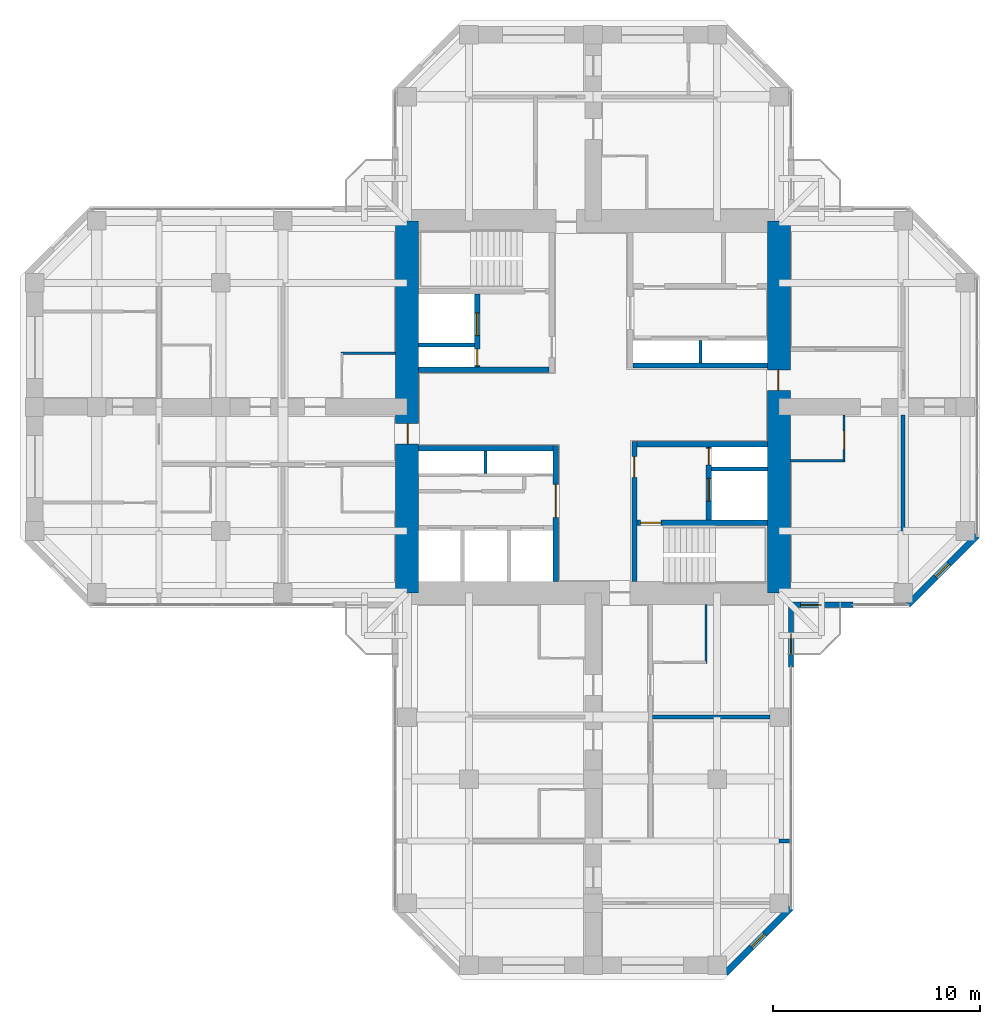
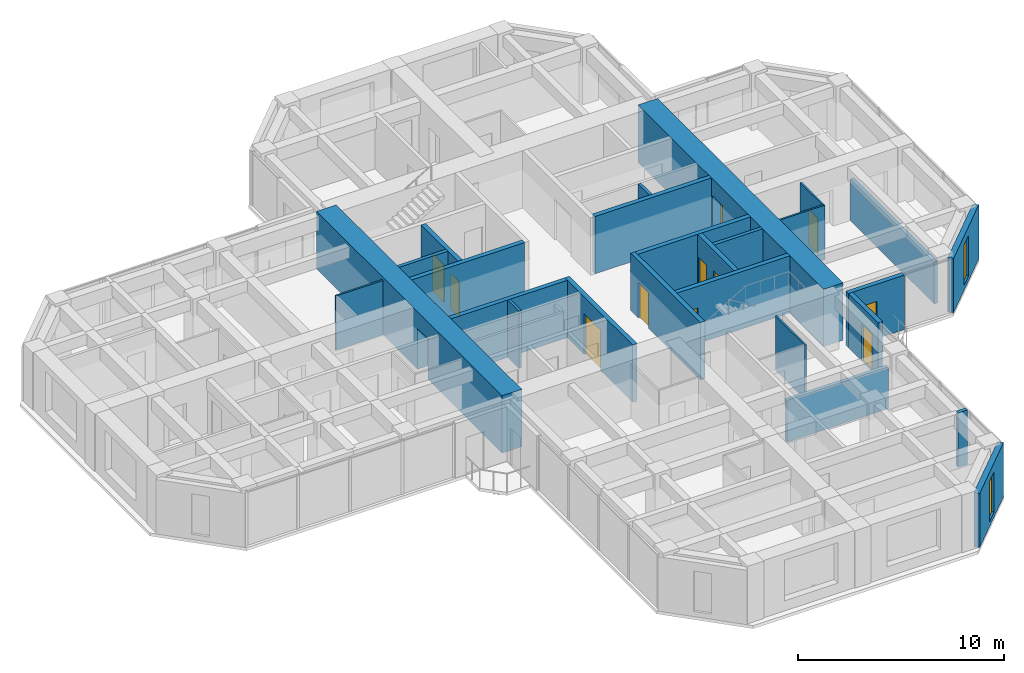
# One storey, part 10 of 13: 26 walls, 12 doors, 2 windows, 14 openings.
"""IFC4 building model written with IfcOpenShell, lengths in metres."""

from ifc_helpers import new_model, si_unit, direction, frame, frame_2d, origin, place, context, subcontext, project, spatial, rectangle, hollow_rectangle, extrude, material, layer, layer_set, constituent, constituent_set, type_object, element, fill, save


model = new_model("IFC4")

# Units and contexts
model_context = context("Model", 3, precision=1e-05, world=origin(), true_north=direction((0.0, 1.0)))
body_context = subcontext(model_context, "Body", "Model", "MODEL_VIEW")
ifc_project = project(units=[si_unit("LENGTHUNIT", "METRE"), si_unit("AREAUNIT", "SQUARE_METRE"), si_unit("VOLUMEUNIT", "CUBIC_METRE"), si_unit("PLANEANGLEUNIT", "RADIAN"), si_unit("MASSUNIT", "GRAM", prefix="KILO")], contexts=[model_context])

# Site, building, storey
site_placement = place(None, origin())
site = spatial("IfcSite", under=ifc_project, at=site_placement, CompositionType="ELEMENT")
building_placement = place(site_placement, origin())
building = spatial("IfcBuilding", under=site, at=building_placement, Name="Torre Cruceta", CompositionType="ELEMENT")
storey_placement = place(building_placement, frame((0.0, 0.0, 189.89990234375)))
storey = spatial("IfcBuildingStorey", under=building, at=storey_placement, Name="L47", CompositionType="ELEMENT", Elevation=189.89990234375)

# Wall
ifc_material_1 = material(Name="Water-resistant plasterboard on steel studs", Category="steel")
ifc_layer_1 = layer(ifc_material_1, 0.10009765625)
ifc_layer_set_1 = layer_set([ifc_layer_1], Name="Water-resistant plasterboard on steel studs")
wall_type_1 = type_object("IfcWallType", Name="BATHROOM WALL 100", PredefinedType="PARTITIONING", material=ifc_layer_set_1)
wall_1_placement = place(storey_placement, frame((9.550048828125, -2.60009765625, 0.0), z_axis=(0.0, 0.0, 1.0), x_axis=(1.0, 0.0, 0.0)))
element("IfcWall", 1, at=wall_1_placement, inside=storey, type_object=wall_type_1, Name="PT4 L47-E-U1RBB", PredefinedType="PARTITIONING", context=body_context, shape_type="SweptSolid", body=[
    extrude(rectangle(XDim=2.64990234375, YDim=0.10009765625, at=frame_2d((1.324951171875, 0.0))), origin(), (0.0, 0.0, 1.0), 3.22021484375),
])

# Wall, opening, door
wall_2_placement = place(storey_placement, frame((12.14990234375, -2.60009765625, 0.0), z_axis=(0.0, 0.0, 1.0), x_axis=(0.0, 1.0, 0.0)))
wall_2 = element("IfcWall", 2, at=wall_2_placement, inside=storey, type_object=wall_type_1, Name="PT4 L47-E-U1RBS", PredefinedType="PARTITIONING", context=body_context, shape_type="SweptSolid", body=[
    extrude(rectangle(XDim=2.2001953125, YDim=0.10009765625, at=frame_2d((1.10009765625, 0.0))), origin(), (0.0, 0.0, 1.0), 3.22021484375),
])
opening_1_placement = place(wall_2_placement, frame((0.550048828125, 0.0, 0.0)))
opening_1 = element("IfcOpeningElement", 3, at=opening_1_placement, cuts=wall_2, Name="Opening D7", PredefinedType="OPENING", context=body_context, shape_type="SweptSolid", body=[
    extrude(rectangle(XDim=0.89990234375, YDim=2.10009765625, at=frame_2d((0.449951171875, 1.050048828125))), frame((0.0, 0.06005859375, 0.0), z_axis=(0.0, -1.0, 0.0), x_axis=(1.0, 0.0, 0.0)), (0.0, 0.0, 1.0), 0.1201171875),
])
ifc_material_2 = material(Name="Timber door", Category="wood")
door_type_1 = type_object("IfcDoorType", Name="BATHROOM DOOR 900X2100", OperationType="SINGLE_SWING_LEFT", PredefinedType="DOOR", material=ifc_material_2)
door_1_placement = place(opening_1_placement, origin())
door_1 = element("IfcDoor", 4, at=door_1_placement, inside=storey, type_object=door_type_1, Name="D7 L47-E-U1RBS-D1", OperationType="SINGLE_SWING_LEFT", OverallHeight=2.10009765625, OverallWidth=0.89990234375, PredefinedType="DOOR", context=body_context, shape_type="SweptSolid", body=[
    extrude(rectangle(XDim=0.89990234375, YDim=2.10009765625, at=frame_2d((0.449951171875, 1.050048828125))), frame((0.0, 0.02490234375, 0.0), z_axis=(0.0, -1.0, 0.0), x_axis=(1.0, 0.0, 0.0)), (0.0, 0.0, 1.0), 0.050048828125),
])
fill(opening_1, door_1)

# Walls
wall_3_placement = place(storey_placement, frame((5.47509765625, -9.550048828125, 0.0), z_axis=(0.0, 0.0, 1.0), x_axis=(0.0, -1.0, 0.0)))
element("IfcWall", 5, at=wall_3_placement, inside=storey, type_object=wall_type_1, Name="PT4 L47-S-U1LBB", PredefinedType="PARTITIONING", context=body_context, shape_type="SweptSolid", body=[
    extrude(rectangle(XDim=2.849853515625, YDim=0.10009765625, at=frame_2d((1.4248046875, 0.0))), origin(), (0.0, 0.0, 1.0), 3.22021484375),
])
wall_4_placement = place(storey_placement, frame((-9.550048828125, 2.60009765625, 0.0), z_axis=(0.0, 0.0, 1.0), x_axis=(-1.0, 0.0, 0.0)))
element("IfcWall", 6, at=wall_4_placement, inside=storey, type_object=wall_type_1, Name="PT4 L47-W-U1RBB", PredefinedType="PARTITIONING", context=body_context, shape_type="SweptSolid", body=[
    extrude(rectangle(XDim=2.64990234375, YDim=0.10009765625, at=frame_2d((1.324951171875, 0.0))), origin(), (0.0, 0.0, 1.0), 3.22021484375),
])
ifc_material_3 = material(Name="Concrete G60 (fck 60 MPa)", Category="concrete")
ifc_layer_2 = layer(ifc_material_3, 0.25)
ifc_layer_set_2 = layer_set([ifc_layer_2], Name="Concrete G60 (fck 60 MPa)")
wall_type_2 = type_object("IfcWallType", Name="CORE INNER WALL 250 G60", PredefinedType="SHEAR", material=ifc_layer_set_2)
wall_5_placement = place(storey_placement, frame((1.925048828125, 2.0, 0.0), z_axis=(0.0, 0.0, 1.0), x_axis=(1.0, 0.0, 0.0)))
element("IfcWall", 7, at=wall_5_placement, inside=storey, type_object=wall_type_2, Name="CW4 L47 NE-CV", PredefinedType="SHEAR", context=body_context, shape_type="SweptSolid", body=[
    extrude(rectangle(XDim=6.52490234375, YDim=0.25, at=frame_2d((3.262451171875, 0.0))), origin(), (0.0, 0.0, 1.0), 3.400146484375),
])
wall_6_placement = place(storey_placement, frame((-2.125, 1.800048828125, 0.0), z_axis=(0.0, 0.0, 1.0), x_axis=(-1.0, 0.0, 0.0)))
element("IfcWall", 8, at=wall_6_placement, inside=storey, type_object=wall_type_2, Name="CW4 L47 NW-CV", PredefinedType="SHEAR", context=body_context, shape_type="SweptSolid", body=[
    extrude(rectangle(XDim=6.324951171875, YDim=0.25, at=frame_2d((3.16259765625, 0.0))), origin(), (0.0, 0.0, 1.0), 3.400146484375),
])

# Wall, openings, doors
wall_7_placement = place(storey_placement, frame((-5.60009765625, 1.925048828125, 0.0), z_axis=(0.0, 0.0, 1.0), x_axis=(0.0, 1.0, 0.0)))
wall_7 = element("IfcWall", 9, at=wall_7_placement, inside=storey, type_object=wall_type_2, Name="CW4 L47 NW-FU", PredefinedType="SHEAR", context=body_context, shape_type="SweptSolid", body=[
    extrude(rectangle(XDim=3.550048828125, YDim=0.25, at=frame_2d((1.77490234375, 0.0))), origin(), (0.0, 0.0, 1.0), 3.400146484375),
])
opening_2_placement = place(wall_7_placement, frame((1.52490234375, 0.0, 0.0)))
opening_2 = element("IfcOpeningElement", 10, at=opening_2_placement, cuts=wall_7, Name="Opening LD1", PredefinedType="OPENING", context=body_context, shape_type="SweptSolid", body=[
    extrude(rectangle(XDim=1.10009765625, YDim=2.199951171875, at=frame_2d((0.550048828125, 1.10009765625))), frame((0.0, 0.135009765625, 0.0), z_axis=(0.0, -1.0, 0.0), x_axis=(1.0, 0.0, 0.0)), (0.0, 0.0, 1.0), 0.27001953125),
])
opening_3_placement = place(wall_7_placement, frame((0.074951171875, 0.0, 0.0)))
opening_3 = element("IfcOpeningElement", 11, at=opening_3_placement, cuts=wall_7, Name="Opening D5", PredefinedType="OPENING", context=body_context, shape_type="SweptSolid", body=[
    extrude(rectangle(XDim=0.800048828125, YDim=2.10009765625, at=frame_2d((0.39990234375, 1.050048828125))), frame((0.0, 0.135009765625, 0.0), z_axis=(0.0, -1.0, 0.0), x_axis=(1.0, 0.0, 0.0)), (0.0, 0.0, 1.0), 0.27001953125),
])
ifc_material_4 = material(Name="Stainless steel 1.4401", Category="steel")
door_type_2 = type_object("IfcDoorType", Name="LIFT LANDING DOOR 1100X2200", OperationType="DOUBLE_DOOR_SLIDING", PredefinedType="DOOR", material=ifc_material_4)
door_2_placement = place(opening_2_placement, origin())
door_2 = element("IfcDoor", 12, at=door_2_placement, inside=storey, type_object=door_type_2, Name="Lift landing door FL1", OperationType="DOUBLE_DOOR_SLIDING", OverallHeight=2.199951171875, OverallWidth=1.10009765625, PredefinedType="DOOR", context=body_context, shape_type="SweptSolid", body=[
    extrude(rectangle(XDim=1.10009765625, YDim=2.199951171875, at=frame_2d((0.550048828125, 1.10009765625))), frame((0.0, 0.02490234375, 0.0), z_axis=(0.0, -1.0, 0.0), x_axis=(1.0, 0.0, 0.0)), (0.0, 0.0, 1.0), 0.050048828125),
])
fill(opening_2, door_2)
ifc_material_5 = material(Name="Steel DX51D", Category="steel")
ifc_constituent_1 = constituent(ifc_material_5, Name="Leaf and frame")
ifc_material_6 = material(Name="Polyester powder coating", Category="paint")
ifc_constituent_2 = constituent(ifc_material_6, Name="Finish")
ifc_constituent_set_1 = constituent_set(constituents=[ifc_constituent_1, ifc_constituent_2], Name="Steel fire door")
door_type_3 = type_object("IfcDoorType", Name="RISER ACCESS DOOR 800X2100", OperationType="SINGLE_SWING_LEFT", PredefinedType="DOOR", material=ifc_constituent_set_1)
door_3_placement = place(opening_3_placement, origin())
door_3 = element("IfcDoor", 13, at=door_3_placement, inside=storey, type_object=door_type_3, Name="D5 L47 NW-RISER", OperationType="SINGLE_SWING_LEFT", OverallHeight=2.10009765625, OverallWidth=0.800048828125, PredefinedType="DOOR", context=body_context, shape_type="SweptSolid", body=[
    extrude(rectangle(XDim=0.800048828125, YDim=2.10009765625, at=frame_2d((0.39990234375, 1.050048828125))), frame((0.0, 0.02490234375, 0.0), z_axis=(0.0, -1.0, 0.0), x_axis=(1.0, 0.0, 0.0)), (0.0, 0.0, 1.0), 0.050048828125),
])
fill(opening_3, door_3)

# Wall, opening, door
wall_8_placement = place(storey_placement, frame((-1.800048828125, -1.875, 0.0), z_axis=(0.0, 0.0, 1.0), x_axis=(0.0, -1.0, 0.0)))
wall_8 = element("IfcWall", 14, at=wall_8_placement, inside=storey, type_object=wall_type_2, Name="CW4 L47 SW-CU", PredefinedType="SHEAR", context=body_context, shape_type="SweptSolid", body=[
    extrude(rectangle(XDim=6.574951171875, YDim=0.25, at=frame_2d((3.28759765625, 0.0))), origin(), (0.0, 0.0, 1.0), 3.400146484375),
])
opening_4_placement = place(wall_8_placement, frame((1.875, 0.0, 0.0)))
opening_4 = element("IfcOpeningElement", 15, at=opening_4_placement, cuts=wall_8, Name="Opening D8", PredefinedType="OPENING", context=body_context, shape_type="SweptSolid", body=[
    extrude(rectangle(XDim=1.60009765625, YDim=2.39990234375, at=frame_2d((0.800048828125, 1.199951171875))), frame((0.0, 0.135009765625, 0.0), z_axis=(0.0, -1.0, 0.0), x_axis=(1.0, 0.0, 0.0)), (0.0, 0.0, 1.0), 0.27001953125),
])
ifc_material_7 = material(Name="Steel DX51D", Category="steel")
ifc_constituent_3 = constituent(ifc_material_7, Name="Leaf and frame")
ifc_material_8 = material(Name="Polyester powder coating", Category="paint")
ifc_constituent_4 = constituent(ifc_material_8, Name="Finish")
ifc_material_9 = material(Name="Fire-resisting glass", Category="glass")
ifc_constituent_5 = constituent(ifc_material_9, Name="Vision panel")
ifc_constituent_set_2 = constituent_set(constituents=[ifc_constituent_3, ifc_constituent_4, ifc_constituent_5], Name="Steel fire door with vision panels")
door_type_4 = type_object("IfcDoorType", Name="LIFT LOBBY DOUBLE DOOR 1600X2400", OperationType="DOUBLE_DOOR_DOUBLE_SWING", PredefinedType="DOOR", material=ifc_constituent_set_2)
door_4_placement = place(opening_4_placement, origin())
door_4 = element("IfcDoor", 16, at=door_4_placement, inside=storey, type_object=door_type_4, Name="D8 L47 SW-LOBBY", OperationType="DOUBLE_DOOR_DOUBLE_SWING", OverallHeight=2.39990234375, OverallWidth=1.60009765625, PredefinedType="DOOR", context=body_context, shape_type="SweptSolid", body=[
    extrude(rectangle(XDim=1.60009765625, YDim=2.39990234375, at=frame_2d((0.800048828125, 1.199951171875))), frame((0.0, 0.02490234375, 0.0), z_axis=(0.0, -1.0, 0.0), x_axis=(1.0, 0.0, 0.0)), (0.0, 0.0, 1.0), 0.050048828125),
])
fill(opening_4, door_4)

# Wall
wall_9_placement = place(storey_placement, frame((-1.925048828125, -2.0, 0.0), z_axis=(0.0, 0.0, 1.0), x_axis=(-1.0, 0.0, 0.0)))
element("IfcWall", 17, at=wall_9_placement, inside=storey, type_object=wall_type_2, Name="CW4 L47 SW-CV", PredefinedType="SHEAR", context=body_context, shape_type="SweptSolid", body=[
    extrude(rectangle(XDim=6.52490234375, YDim=0.25, at=frame_2d((3.262451171875, 0.0))), origin(), (0.0, 0.0, 1.0), 3.400146484375),
])

# Wall, opening, door
wall_10_placement = place(storey_placement, frame((2.0, -1.675048828125, 0.0), z_axis=(0.0, 0.0, 1.0), x_axis=(0.0, -1.0, 0.0)))
wall_10 = element("IfcWall", 18, at=wall_10_placement, inside=storey, type_object=wall_type_2, Name="CW4 L47 SE-CU", PredefinedType="SHEAR", context=body_context, shape_type="SweptSolid", body=[
    extrude(rectangle(XDim=6.77490234375, YDim=0.25, at=frame_2d((3.387451171875, 0.0))), origin(), (0.0, 0.0, 1.0), 3.400146484375),
])
opening_5_placement = place(wall_10_placement, frame((0.72509765625, 0.0, 0.0)))
opening_5 = element("IfcOpeningElement", 19, at=opening_5_placement, cuts=wall_10, Name="Opening D3", PredefinedType="OPENING", context=body_context, shape_type="SweptSolid", body=[
    extrude(rectangle(XDim=1.0, YDim=2.10009765625, at=frame_2d((0.5, 1.050048828125))), frame((0.0, 0.135009765625, 0.0), z_axis=(0.0, -1.0, 0.0), x_axis=(1.0, 0.0, 0.0)), (0.0, 0.0, 1.0), 0.27001953125),
])
ifc_material_10 = material(Name="Steel DX51D", Category="steel")
ifc_constituent_6 = constituent(ifc_material_10, Name="Leaf and frame")
ifc_material_11 = material(Name="Polyester powder coating", Category="paint")
ifc_constituent_7 = constituent(ifc_material_11, Name="Finish")
ifc_constituent_set_3 = constituent_set(constituents=[ifc_constituent_6, ifc_constituent_7], Name="Steel fire door")
door_type_5 = type_object("IfcDoorType", Name="FIRE DOOR 1000X2100", OperationType="SINGLE_SWING_LEFT", PredefinedType="DOOR", material=ifc_constituent_set_3)
door_5_placement = place(opening_5_placement, origin())
door_5 = element("IfcDoor", 20, at=door_5_placement, inside=storey, type_object=door_type_5, Name="D3 L47 SE-LOBBY", OperationType="SINGLE_SWING_LEFT", OverallHeight=2.10009765625, OverallWidth=1.0, PredefinedType="DOOR", context=body_context, shape_type="SweptSolid", body=[
    extrude(rectangle(XDim=1.0, YDim=2.10009765625, at=frame_2d((0.5, 1.050048828125))), frame((0.0, 0.02490234375, 0.0), z_axis=(0.0, -1.0, 0.0), x_axis=(1.0, 0.0, 0.0)), (0.0, 0.0, 1.0), 0.050048828125),
])
fill(opening_5, door_5)

# Wall
wall_11_placement = place(storey_placement, frame((2.125, -1.800048828125, 0.0), z_axis=(0.0, 0.0, 1.0), x_axis=(1.0, 0.0, 0.0)))
element("IfcWall", 21, at=wall_11_placement, inside=storey, type_object=wall_type_2, Name="CW4 L47 SE-CV", PredefinedType="SHEAR", context=body_context, shape_type="SweptSolid", body=[
    extrude(rectangle(XDim=6.324951171875, YDim=0.25, at=frame_2d((3.16259765625, 0.0))), origin(), (0.0, 0.0, 1.0), 3.400146484375),
])

# Wall, opening, door
wall_12_placement = place(storey_placement, frame((2.125, -5.60009765625, 0.0), z_axis=(0.0, 0.0, 1.0), x_axis=(1.0, 0.0, 0.0)))
wall_12 = element("IfcWall", 22, at=wall_12_placement, inside=storey, type_object=wall_type_2, Name="CW4 L47 SE-SV", PredefinedType="SHEAR", context=body_context, shape_type="SweptSolid", body=[
    extrude(rectangle(XDim=6.324951171875, YDim=0.25, at=frame_2d((3.16259765625, 0.0))), origin(), (0.0, 0.0, 1.0), 3.400146484375),
])
opening_6_placement = place(wall_12_placement, frame((0.175048828125, 0.0, 0.0)))
opening_6 = element("IfcOpeningElement", 23, at=opening_6_placement, cuts=wall_12, Name="Opening D3", PredefinedType="OPENING", context=body_context, shape_type="SweptSolid", body=[
    extrude(rectangle(XDim=1.0, YDim=2.10009765625, at=frame_2d((0.5, 1.050048828125))), frame((0.0, 0.135009765625, 0.0), z_axis=(0.0, -1.0, 0.0), x_axis=(1.0, 0.0, 0.0)), (0.0, 0.0, 1.0), 0.27001953125),
])
door_6_placement = place(opening_6_placement, frame((1.0, 0.0, 0.0), z_axis=(0.0, 0.0, 1.0), x_axis=(-1.0, 0.0, 0.0)))
door_6 = element("IfcDoor", 24, at=door_6_placement, inside=storey, type_object=door_type_5, Name="D3 L47 SE-STAIR", OperationType="SINGLE_SWING_RIGHT", OverallHeight=2.10009765625, OverallWidth=1.0, PredefinedType="DOOR", context=body_context, shape_type="SweptSolid", body=[
    extrude(rectangle(XDim=1.0, YDim=2.10009765625, at=frame_2d((0.5, 1.050048828125))), frame((0.0, 0.025146484375, 0.0), z_axis=(0.0, -1.0, 0.0), x_axis=(1.0, 0.0, 0.0)), (0.0, 0.0, 1.0), 0.050048828125),
])
fill(opening_6, door_6)

# Wall, openings, doors
wall_13_placement = place(storey_placement, frame((5.60009765625, -1.925048828125, 0.0), z_axis=(0.0, 0.0, 1.0), x_axis=(0.0, -1.0, 0.0)))
wall_13 = element("IfcWall", 25, at=wall_13_placement, inside=storey, type_object=wall_type_2, Name="CW4 L47 SE-FU", PredefinedType="SHEAR", context=body_context, shape_type="SweptSolid", body=[
    extrude(rectangle(XDim=3.550048828125, YDim=0.25, at=frame_2d((1.77490234375, 0.0))), origin(), (0.0, 0.0, 1.0), 3.400146484375),
])
opening_7_placement = place(wall_13_placement, frame((1.52490234375, 0.0, 0.0)))
opening_7 = element("IfcOpeningElement", 26, at=opening_7_placement, cuts=wall_13, Name="Opening LD1", PredefinedType="OPENING", context=body_context, shape_type="SweptSolid", body=[
    extrude(rectangle(XDim=1.10009765625, YDim=2.199951171875, at=frame_2d((0.550048828125, 1.10009765625))), frame((0.0, 0.135009765625, 0.0), z_axis=(0.0, -1.0, 0.0), x_axis=(1.0, 0.0, 0.0)), (0.0, 0.0, 1.0), 0.27001953125),
])
opening_8_placement = place(wall_13_placement, frame((0.074951171875, 0.0, 0.0)))
opening_8 = element("IfcOpeningElement", 27, at=opening_8_placement, cuts=wall_13, Name="Opening D5", PredefinedType="OPENING", context=body_context, shape_type="SweptSolid", body=[
    extrude(rectangle(XDim=0.800048828125, YDim=2.10009765625, at=frame_2d((0.39990234375, 1.050048828125))), frame((0.0, 0.135009765625, 0.0), z_axis=(0.0, -1.0, 0.0), x_axis=(1.0, 0.0, 0.0)), (0.0, 0.0, 1.0), 0.27001953125),
])
door_7_placement = place(opening_7_placement, origin())
door_7 = element("IfcDoor", 28, at=door_7_placement, inside=storey, type_object=door_type_2, Name="Lift landing door FL2", OperationType="DOUBLE_DOOR_SLIDING", OverallHeight=2.199951171875, OverallWidth=1.10009765625, PredefinedType="DOOR", context=body_context, shape_type="SweptSolid", body=[
    extrude(rectangle(XDim=1.10009765625, YDim=2.199951171875, at=frame_2d((0.550048828125, 1.10009765625))), frame((0.0, 0.02490234375, 0.0), z_axis=(0.0, -1.0, 0.0), x_axis=(1.0, 0.0, 0.0)), (0.0, 0.0, 1.0), 0.050048828125),
])
fill(opening_7, door_7)
door_8_placement = place(opening_8_placement, origin())
door_8 = element("IfcDoor", 29, at=door_8_placement, inside=storey, type_object=door_type_3, Name="D5 L47 SE-RISER", OperationType="SINGLE_SWING_LEFT", OverallHeight=2.10009765625, OverallWidth=0.800048828125, PredefinedType="DOOR", context=body_context, shape_type="SweptSolid", body=[
    extrude(rectangle(XDim=0.800048828125, YDim=2.10009765625, at=frame_2d((0.39990234375, 1.050048828125))), frame((0.0, 0.02490234375, 0.0), z_axis=(0.0, -1.0, 0.0), x_axis=(1.0, 0.0, 0.0)), (0.0, 0.0, 1.0), 0.050048828125),
])
fill(opening_8, door_8)

# Wall, opening, door
ifc_material_12 = material(Name="Concrete G60 (fck 60 MPa)", Category="concrete")
ifc_layer_3 = layer(ifc_material_12, 1.10009765625)
ifc_layer_set_3 = layer_set([ifc_layer_3], Name="Concrete G60 (fck 60 MPa)")
wall_type_3 = type_object("IfcWallType", Name="CORE WALL 1100 G60", PredefinedType="SHEAR", material=ifc_layer_set_3)
wall_14_placement = place(storey_placement, frame((9.0, -9.0, 0.0), z_axis=(0.0, 0.0, 1.0), x_axis=(0.0, 1.0, 0.0)))
wall_14 = element("IfcWall", 30, at=wall_14_placement, inside=storey, type_object=wall_type_3, Name="CW2 L47 CW-E", PredefinedType="SHEAR", context=body_context, shape_type="SweptSolid", body=[
    extrude(rectangle(XDim=18.0, YDim=1.10009765625, at=frame_2d((9.0, 0.0))), origin(), (0.0, 0.0, 1.0), 3.400146484375),
])
opening_9_placement = place(wall_14_placement, frame((9.800048828125, 0.0, 0.0)))
opening_9 = element("IfcOpeningElement", 31, at=opening_9_placement, cuts=wall_14, Name="Opening D4", PredefinedType="OPENING", context=body_context, shape_type="SweptSolid", body=[
    extrude(rectangle(XDim=1.0, YDim=2.39990234375, at=frame_2d((0.5, 1.199951171875))), frame((0.0, 0.56005859375, 0.0), z_axis=(0.0, -1.0, 0.0), x_axis=(1.0, 0.0, 0.0)), (0.0, 0.0, 1.0), 1.1201171875),
])
ifc_material_13 = material(Name="Steel DX51D", Category="steel")
ifc_constituent_8 = constituent(ifc_material_13, Name="Leaf and frame")
ifc_material_14 = material(Name="Polyester powder coating", Category="paint")
ifc_constituent_9 = constituent(ifc_material_14, Name="Finish")
ifc_constituent_set_4 = constituent_set(constituents=[ifc_constituent_8, ifc_constituent_9], Name="Steel fire door")
door_type_6 = type_object("IfcDoorType", Name="CORE ARM DOOR 1000X2400", OperationType="SINGLE_SWING_RIGHT", PredefinedType="DOOR", material=ifc_constituent_set_4)
door_9_placement = place(opening_9_placement, origin())
door_9 = element("IfcDoor", 32, at=door_9_placement, inside=storey, type_object=door_type_6, Name="D4 L47 CW-E", OperationType="SINGLE_SWING_RIGHT", OverallHeight=2.39990234375, OverallWidth=1.0, PredefinedType="DOOR", context=body_context, shape_type="SweptSolid", body=[
    extrude(rectangle(XDim=1.0, YDim=2.39990234375, at=frame_2d((0.5, 1.199951171875))), frame((0.0, 0.05517578125, 0.0), z_axis=(0.0, -1.0, 0.0), x_axis=(1.0, 0.0, 0.0)), (0.0, 0.0, 1.0), 0.050048828125),
])
fill(opening_9, door_9)

wall_15_placement = place(storey_placement, frame((-9.0, 9.0, 0.0), z_axis=(0.0, 0.0, 1.0), x_axis=(0.0, -1.0, 0.0)))
wall_15 = element("IfcWall", 33, at=wall_15_placement, inside=storey, type_object=wall_type_3, Name="CW2 L47 CW-W", PredefinedType="SHEAR", context=body_context, shape_type="SweptSolid", body=[
    extrude(rectangle(XDim=18.0, YDim=1.10009765625, at=frame_2d((9.0, 0.0))), origin(), (0.0, 0.0, 1.0), 3.400146484375),
])
opening_10_placement = place(wall_15_placement, frame((9.800048828125, 0.0, 0.0)))
opening_10 = element("IfcOpeningElement", 34, at=opening_10_placement, cuts=wall_15, Name="Opening D4", PredefinedType="OPENING", context=body_context, shape_type="SweptSolid", body=[
    extrude(rectangle(XDim=1.0, YDim=2.39990234375, at=frame_2d((0.5, 1.199951171875))), frame((0.0, 0.56005859375, 0.0), z_axis=(0.0, -1.0, 0.0), x_axis=(1.0, 0.0, 0.0)), (0.0, 0.0, 1.0), 1.1201171875),
])
door_10_placement = place(opening_10_placement, origin())
door_10 = element("IfcDoor", 35, at=door_10_placement, inside=storey, type_object=door_type_6, Name="D4 L47 CW-W", OperationType="SINGLE_SWING_RIGHT", OverallHeight=2.39990234375, OverallWidth=1.0, PredefinedType="DOOR", context=body_context, shape_type="SweptSolid", body=[
    extrude(rectangle(XDim=1.0, YDim=2.39990234375, at=frame_2d((0.5, 1.199951171875))), frame((0.0, 0.05517578125, 0.0), z_axis=(0.0, -1.0, 0.0), x_axis=(1.0, 0.0, 0.0)), (0.0, 0.0, 1.0), 0.050048828125),
])
fill(opening_10, door_10)

# Wall, opening, window
ifc_material_15 = material(Name="Concrete G30 (fck 30 MPa)", Category="concrete")
ifc_layer_4 = layer(ifc_material_15, 0.300048828125)
ifc_layer_set_4 = layer_set([ifc_layer_4], Name="Concrete G30 (fck 30 MPa)")
wall_type_4 = type_object("IfcWallType", Name="EXPOSED CONCRETE FACADE WALL 300", PredefinedType="SOLIDWALL", material=ifc_layer_set_4)
wall_16_placement = place(storey_placement, frame((15.236083984375, -9.570068359375, 0.0), z_axis=(0.0, 0.0, 1.0), x_axis=(0.707106781187, 0.707106781187, 0.0)))
wall_16 = element("IfcWall", 36, at=wall_16_placement, inside=storey, type_object=wall_type_4, Name="EW1 facade wall L47 E chamfer 01", PredefinedType="SOLIDWALL", context=body_context, shape_type="SweptSolid", body=[
    extrude(rectangle(XDim=4.715087890625, YDim=0.300048828125, at=frame_2d((2.357421875, 0.0))), origin(), (0.0, 0.0, 1.0), 3.22021484375),
])
opening_11_placement = place(wall_16_placement, frame((1.907470703125, 0.0, 0.300048828125)))
opening_11 = element("IfcOpeningElement", 37, at=opening_11_placement, cuts=wall_16, Name="Opening WN5", PredefinedType="OPENING", context=body_context, shape_type="SweptSolid", body=[
    extrude(rectangle(XDim=0.89990234375, YDim=2.39990234375, at=frame_2d((0.449951171875, 1.199951171875))), frame((0.0, 0.159912109375, 0.0), z_axis=(0.0, -1.0, 0.0), x_axis=(1.0, 0.0, 0.0)), (0.0, 0.0, 1.0), 0.320068359375),
])
ifc_material_16 = material(Name="Aluminium window frame", Category="aluminium")
ifc_constituent_10 = constituent(ifc_material_16, Name="Frame")
ifc_material_17 = material(Name="Laminated insulating glass unit, low-iron clear", Category="glass")
ifc_constituent_11 = constituent(ifc_material_17, Name="Glazing")
ifc_constituent_set_5 = constituent_set(constituents=[ifc_constituent_10, ifc_constituent_11], Name="Aluminium window")
window_type = type_object("IfcWindowType", Name="CHAMFER SLOT WINDOW 900X2400", PartitioningType="SINGLE_PANEL", PredefinedType="WINDOW", material=ifc_constituent_set_5)
window_1_placement = place(opening_11_placement, origin())
window_1 = element("IfcWindow", 38, at=window_1_placement, inside=storey, type_object=window_type, Name="WN5 L47 E 1", OverallHeight=2.39990234375, OverallWidth=0.89990234375, PartitioningType="SINGLE_PANEL", PredefinedType="WINDOW", context=body_context, shape_type="SweptSolid", body=[
    extrude(hollow_rectangle(XDim=0.89990234375, YDim=2.39990234375, WallThickness=0.06005859375, at=frame_2d((0.449951171875, 1.199951171875))), frame((0.0, 0.030029296875, 0.0), z_axis=(0.0, -1.0, 0.0), x_axis=(1.0, 0.0, 0.0)), (0.0, 0.0, 1.0), 0.06005859375),
    extrude(rectangle(XDim=0.77880859375, YDim=2.27880859375, at=frame_2d((0.449951171875, 1.199951171875))), frame((0.0, 0.030029296875, 0.0), z_axis=(0.0, -1.0, 0.0), x_axis=(1.0, 0.0, 0.0)), (0.0, 0.0, 1.0), 0.06005859375),
])
fill(opening_11, window_1)

wall_17_placement = place(storey_placement, frame((6.406005859375, -27.39990234375, 0.0), z_axis=(0.0, 0.0, 1.0), x_axis=(0.707134062067, 0.707079499254, 0.0)))
wall_17 = element("IfcWall", 39, at=wall_17_placement, inside=storey, type_object=wall_type_4, Name="EW1 facade wall L47 S chamfer 18", PredefinedType="SOLIDWALL", context=body_context, shape_type="SweptSolid", body=[
    extrude(rectangle(XDim=4.474609375, YDim=0.300048828125, at=frame_2d((2.2373046875, 0.0))), origin(), (0.0, 0.0, 1.0), 3.22021484375),
])
opening_12_placement = place(wall_17_placement, frame((1.787109375, 0.0, 0.300048828125)))
opening_12 = element("IfcOpeningElement", 40, at=opening_12_placement, cuts=wall_17, Name="Opening WN5", PredefinedType="OPENING", context=body_context, shape_type="SweptSolid", body=[
    extrude(rectangle(XDim=0.89990234375, YDim=2.39990234375, at=frame_2d((0.449951171875, 1.199951171875))), frame((0.0, 0.159912109375, 0.0), z_axis=(0.0, -1.0, 0.0), x_axis=(1.0, 0.0, 0.0)), (0.0, 0.0, 1.0), 0.320068359375),
])
window_2_placement = place(opening_12_placement, origin())
window_2 = element("IfcWindow", 41, at=window_2_placement, inside=storey, type_object=window_type, Name="WN5 L47 S 1", OverallHeight=2.39990234375, OverallWidth=0.89990234375, PartitioningType="SINGLE_PANEL", PredefinedType="WINDOW", context=body_context, shape_type="SweptSolid", body=[
    extrude(hollow_rectangle(XDim=0.89990234375, YDim=2.39990234375, WallThickness=0.06005859375, at=frame_2d((0.449951171875, 1.199951171875))), frame((0.0, 0.030029296875, 0.0), z_axis=(0.0, -1.0, 0.0), x_axis=(1.0, 0.0, 0.0)), (0.0, 0.0, 1.0), 0.06005859375),
    extrude(rectangle(XDim=0.77880859375, YDim=2.27880859375, at=frame_2d((0.449951171875, 1.199951171875))), frame((0.0, 0.030029296875, 0.0), z_axis=(0.0, -1.0, 0.0), x_axis=(1.0, 0.0, 0.0)), (0.0, 0.0, 1.0), 0.06005859375),
])
fill(opening_12, window_2)

# Walls
ifc_material_18 = material(Name="Concrete G35 (fck 35 MPa)", Category="concrete")
ifc_layer_5 = layer(ifc_material_18, 0.199951171875)
ifc_layer_set_5 = layer_set([ifc_layer_5], Name="Concrete G35 (fck 35 MPa)")
wall_type_5 = type_object("IfcWallType", Name="LIFT SHAFT WALL 200", PredefinedType="PARTITIONING", material=ifc_layer_set_5)
for number, where, z_axis, x_axis, name in (
    (42, (-5.72509765625, 3.0, 0.0), (0.0, 0.0, 1.0), (-1.0, 0.0, 0.0), "SW1 L47 NW-FR"),
    (43, (5.72509765625, -3.0, 0.0), (0.0, 0.0, 1.0), (1.0, 0.0, 0.0), "SW1 L47 SE-FR"),
):
    element("IfcWall", number, at=place(storey_placement, frame(where, z_axis=z_axis, x_axis=x_axis)), inside=storey, type_object=wall_type_5, Name=name, PredefinedType="PARTITIONING", context=body_context, shape_type="SweptSolid", body=[
        extrude(rectangle(XDim=2.724853515625, YDim=0.199951171875, at=frame_2d((1.3623046875, 0.0))), origin(), (0.0, 0.0, 1.0), 3.400146484375),
    ])
ifc_material_19 = material(Name="Concrete block masonry", Category="masonry")
ifc_layer_6 = layer(ifc_material_19, 0.14990234375)
ifc_layer_set_6 = layer_set([ifc_layer_6], Name="Concrete block masonry")
wall_type_6 = type_object("IfcWallType", Name="RISER WALL 150", PredefinedType="PARTITIONING", material=ifc_layer_set_6)
for number, where, z_axis, x_axis, name in (
    (44, (5.199951171875, 2.125, 0.0), (0.0, 0.0, 1.0), (0.0, 1.0, 0.0), "SW7 L47 NE-RU"),
    (45, (-5.199951171875, -2.125, 0.0), (0.0, 0.0, 1.0), (0.0, -1.0, 0.0), "SW7 L47 SW-RU"),
):
    element("IfcWall", number, at=place(storey_placement, frame(where, z_axis=z_axis, x_axis=x_axis)), inside=storey, type_object=wall_type_6, Name=name, PredefinedType="PARTITIONING", context=body_context, shape_type="SweptSolid", body=[
        extrude(rectangle(XDim=1.10009765625, YDim=0.14990234375, at=frame_2d((0.550048828125, 0.0))), origin(), (0.0, 0.0, 1.0), 3.400146484375),
    ])
ifc_material_20 = material(Name="Concrete G25 (fck 25 MPa)", Category="concrete")
ifc_layer_7 = layer(ifc_material_20, 0.199951171875)
ifc_layer_set_7 = layer_set([ifc_layer_7], Name="Concrete G25 (fck 25 MPa)")
wall_type_7 = type_object("IfcWallType", Name="UNIT SEPARATING WALL 200", PredefinedType="SOLIDWALL", material=ifc_layer_set_7)
wall_18_placement = place(storey_placement, frame((15.0, -8.550048828125, 0.0), z_axis=(0.0, 0.0, 1.0), x_axis=(0.0, 1.0, 0.0)))
element("IfcWall", 46, at=wall_18_placement, inside=storey, type_object=wall_type_7, Name="PT2 L47-E-ENDa", PredefinedType="SOLIDWALL", context=body_context, shape_type="SweptSolid", body=[
    extrude(rectangle(XDim=8.150146484375, YDim=0.199951171875, at=frame_2d((4.0751953125, 0.0))), origin(), (0.0, 0.0, 1.0), 2.47021484375),
])
wall_19_placement = place(storey_placement, frame((2.875, -15.0, 0.0), z_axis=(0.0, 0.0, 1.0), x_axis=(1.0, 0.0, 0.0)))
element("IfcWall", 47, at=wall_19_placement, inside=storey, type_object=wall_type_7, Name="PT2 L47-S-P1L", PredefinedType="SOLIDWALL", context=body_context, shape_type="SweptSolid", body=[
    extrude(rectangle(XDim=5.675048828125, YDim=0.199951171875, at=frame_2d((2.83740234375, 0.0))), origin(), (0.0, 0.0, 1.0), 2.47021484375),
])
wall_20_placement = place(storey_placement, frame((9.0, -21.0, 0.0), z_axis=(0.0, 0.0, 1.0), x_axis=(1.0, 0.0, 0.0)))
element("IfcWall", 48, at=wall_20_placement, inside=storey, type_object=wall_type_7, Name="PT2 L47-S-ENDb 2", PredefinedType="SOLIDWALL", context=body_context, shape_type="SweptSolid", body=[
    extrude(rectangle(XDim=0.530029296875, YDim=0.199951171875, at=frame_2d((0.26513671875, 0.0))), origin(), (0.0, 0.0, 1.0), 3.22021484375),
])

# Wall, opening, door
ifc_material_21 = material(Name="Concrete G30 (fck 30 MPa)", Category="concrete")
ifc_layer_8 = layer(ifc_material_21, 0.25)
ifc_layer_set_8 = layer_set([ifc_layer_8], Name="Concrete G30 (fck 30 MPa)")
wall_type_8 = type_object("IfcWallType", Name="WINTER GARDEN WALL 250", PredefinedType="SOLIDWALL", material=ifc_layer_set_8)
wall_21_placement = place(storey_placement, frame((9.445068359375, -9.570068359375, 0.0), z_axis=(0.0, 0.0, 1.0), x_axis=(1.0, 0.0, 0.0)))
wall_21 = element("IfcWall", 49, at=wall_21_placement, inside=storey, type_object=wall_type_8, Name="EW2 winter garden wall L47 00", PredefinedType="SOLIDWALL", context=body_context, shape_type="SweptSolid", body=[
    extrude(rectangle(XDim=3.125, YDim=0.25, at=frame_2d((1.5625, 0.0))), origin(), (0.0, 0.0, 1.0), 3.22021484375),
])
opening_13_placement = place(wall_21_placement, frame((0.60009765625, 0.0, 0.0)))
opening_13 = element("IfcOpeningElement", 50, at=opening_13_placement, cuts=wall_21, Name="Opening D10", PredefinedType="OPENING", context=body_context, shape_type="SweptSolid", body=[
    extrude(rectangle(XDim=1.0, YDim=2.199951171875, at=frame_2d((0.5, 1.10009765625))), frame((0.0, 0.135009765625, 0.0), z_axis=(0.0, -1.0, 0.0), x_axis=(1.0, 0.0, 0.0)), (0.0, 0.0, 1.0), 0.27001953125),
])
ifc_material_22 = material(Name="Aluminium door frame", Category="aluminium")
ifc_constituent_12 = constituent(ifc_material_22, Name="Frame")
ifc_material_23 = material(Name="Laminated safety glass", Category="glass")
ifc_constituent_13 = constituent(ifc_material_23, Name="Glazing")
ifc_constituent_set_6 = constituent_set(constituents=[ifc_constituent_12, ifc_constituent_13], Name="Aluminium glazed door")
door_type_7 = type_object("IfcDoorType", Name="BALCONY DOOR 1000X2200", OperationType="SINGLE_SWING_RIGHT", PredefinedType="DOOR", material=ifc_constituent_set_6)
door_11_placement = place(opening_13_placement, origin())
door_11 = element("IfcDoor", 51, at=door_11_placement, inside=storey, type_object=door_type_7, Name="D10 balcony door L47 00", OperationType="SINGLE_SWING_LEFT", OverallHeight=2.199951171875, OverallWidth=1.0, PredefinedType="DOOR", context=body_context, shape_type="SweptSolid", body=[
    extrude(hollow_rectangle(XDim=1.0, YDim=2.199951171875, WallThickness=0.06005859375, at=frame_2d((0.5, 1.10009765625))), frame((0.0, 0.02490234375, 0.0), z_axis=(0.0, -1.0, 0.0), x_axis=(1.0, 0.0, 0.0)), (0.0, 0.0, 1.0), 0.050048828125),
    extrude(rectangle(XDim=0.87890625, YDim=2.078857421875, at=frame_2d((0.5, 1.10009765625))), frame((0.0, 0.02490234375, 0.0), z_axis=(0.0, -1.0, 0.0), x_axis=(1.0, 0.0, 0.0)), (0.0, 0.0, 1.0), 0.050048828125),
])
fill(opening_13, door_11)

wall_22_placement = place(storey_placement, frame((9.570068359375, -12.570068359375, 0.0), z_axis=(0.0, 0.0, 1.0), x_axis=(0.0, 1.0, 0.0)))
wall_22 = element("IfcWall", 52, at=wall_22_placement, inside=storey, type_object=wall_type_8, Name="EW2 winter garden wall L47 19", PredefinedType="SOLIDWALL", context=body_context, shape_type="SweptSolid", body=[
    extrude(rectangle(XDim=2.875, YDim=0.25, at=frame_2d((1.4375, 0.0))), origin(), (0.0, 0.0, 1.0), 3.22021484375),
])
opening_14_placement = place(wall_22_placement, frame((0.60009765625, 0.0, 0.0)))
opening_14 = element("IfcOpeningElement", 53, at=opening_14_placement, cuts=wall_22, Name="Opening D10", PredefinedType="OPENING", context=body_context, shape_type="SweptSolid", body=[
    extrude(rectangle(XDim=1.0, YDim=2.199951171875, at=frame_2d((0.5, 1.10009765625))), frame((0.0, 0.135009765625, 0.0), z_axis=(0.0, -1.0, 0.0), x_axis=(1.0, 0.0, 0.0)), (0.0, 0.0, 1.0), 0.27001953125),
])
door_12_placement = place(opening_14_placement, origin())
door_12 = element("IfcDoor", 54, at=door_12_placement, inside=storey, type_object=door_type_7, Name="D10 balcony door L47 19", OperationType="SINGLE_SWING_RIGHT", OverallHeight=2.199951171875, OverallWidth=1.0, PredefinedType="DOOR", context=body_context, shape_type="SweptSolid", body=[
    extrude(hollow_rectangle(XDim=1.0, YDim=2.199951171875, WallThickness=0.06005859375, at=frame_2d((0.5, 1.10009765625))), frame((0.0, 0.02490234375, 0.0), z_axis=(0.0, -1.0, 0.0), x_axis=(1.0, 0.0, 0.0)), (0.0, 0.0, 1.0), 0.050048828125),
    extrude(rectangle(XDim=0.87890625, YDim=2.078857421875, at=frame_2d((0.5, 1.10009765625))), frame((0.0, 0.02490234375, 0.0), z_axis=(0.0, -1.0, 0.0), x_axis=(1.0, 0.0, 0.0)), (0.0, 0.0, 1.0), 0.050048828125),
])
fill(opening_14, door_12)

save(model, "model.ifc")
